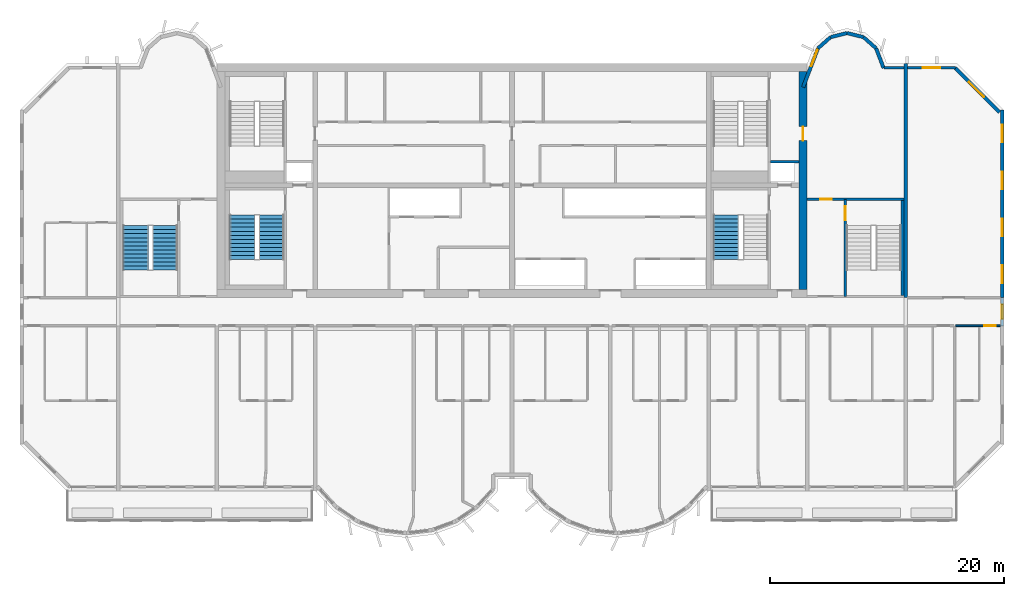
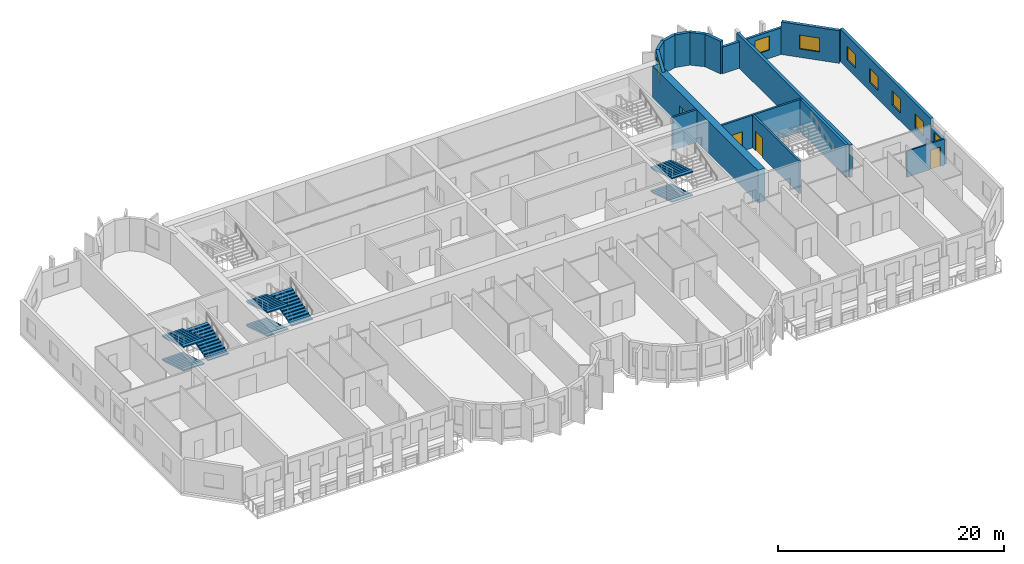
# One storey, part 9 of 13: 18 walls, 8 stair flights, 8 windows, 4 doors, 12 openings, 3 elements without a shape of their own.
"""IFC4 building model written with IfcOpenShell, lengths in metres."""

import ifcopenshell
import ifcopenshell.guid

model = None  # the IFC model being written
_history = None  # IfcOwnerHistory: only IFC2X3 demands one
_inside = {}  # id of a spatial element -> (the spatial element, [elements in it])
_under = {}  # id of a project, library or spatial element -> (it, [spatial elements below it])
_declared = {}  # id of a project -> (the project, [libraries it declares])
_typed = {}  # id of a type object -> (the type object, [elements of that type])
_made_of = {}  # id of a material, layer set ... -> (it, [elements and type objects made of it])


def new_model(schema):
    """Start an empty IFC model of exactly this schema.

    Asked for "IFC4X3", IfcOpenShell would pick the latest addendum, in which some entities
    have other attributes; the version numbers below select the first issue.
    IFC2X3 requires an IfcOwnerHistory on every rooted entity: one is made here for all.
    """
    global model, _history
    if schema == "IFC4X3":
        model = ifcopenshell.file(schema_version=(4, 3, 0, 0))
    else:
        model = ifcopenshell.file(schema=schema)
    _inside.clear()
    _under.clear()
    _declared.clear()
    _typed.clear()
    _made_of.clear()
    _history = None
    if model.schema == "IFC2X3":
        org = make("IfcOrganization", Name="unknown")
        user = make(
            "IfcPersonAndOrganization",
            ThePerson=make("IfcPerson", FamilyName="unknown"),
            TheOrganization=org,
        )
        app = make(
            "IfcApplication",
            ApplicationDeveloper=org,
            Version="unknown",
            ApplicationFullName="unknown",
            ApplicationIdentifier="unknown",
        )
        _history = make(
            "IfcOwnerHistory",
            OwningUser=user,
            OwningApplication=app,
            ChangeAction="ADDED",
            CreationDate=0,
        )
    return model


def make(cls, **values):
    """One entity of the class cls with the attributes given. An attribute that is None is left unset."""
    return model.create_entity(
        cls, **{name: value for name, value in values.items() if value is not None}
    )


def rooted(cls, **values):
    """An entity with a GlobalId (a new one), such as an element, a storey or a relation."""
    return make(cls, GlobalId=ifcopenshell.guid.new(), OwnerHistory=_history, **values)


def si_unit(unit_type, name, prefix=None):
    """IfcSIUnit, for example si_unit("LENGTHUNIT", "METRE", prefix="MILLI")."""
    return make("IfcSIUnit", UnitType=unit_type, Prefix=prefix, Name=name)


def assignment(units):
    """IfcUnitAssignment: the units of a project."""
    return None if units is None else make("IfcUnitAssignment", Units=units)


def point(xyz):
    """IfcCartesianPoint."""
    return None if xyz is None else make("IfcCartesianPoint", Coordinates=xyz)


def direction(xyz):
    """IfcDirection."""
    return None if xyz is None else make("IfcDirection", DirectionRatios=xyz)


def frame(location, z_axis=None, x_axis=None):
    """IfcAxis2Placement3D, a coordinate frame: its origin and axes. An axis left out is left unset."""
    return make(
        "IfcAxis2Placement3D",
        Location=point(location),
        Axis=direction(z_axis),
        RefDirection=direction(x_axis),
    )


def frame_2d(location, x_axis=None):
    """IfcAxis2Placement2D, a coordinate frame in the plane: its origin and x axis."""
    return make(
        "IfcAxis2Placement2D", Location=point(location), RefDirection=direction(x_axis)
    )


def origin():
    """The frame at (0, 0, 0) with its axes left unset."""
    return frame((0.0, 0.0, 0.0))


def place(relative_to, where):
    """IfcLocalPlacement: puts the frame where relative to a parent placement (None: the world)."""
    return make(
        "IfcLocalPlacement", PlacementRelTo=relative_to, RelativePlacement=where
    )


def context(
    kind, dimensions, precision=None, world=None, true_north=None, identifier=None
):
    """IfcGeometricRepresentationContext, for example the 3D "Model" context."""
    return make(
        "IfcGeometricRepresentationContext",
        ContextIdentifier=identifier,
        ContextType=kind,
        CoordinateSpaceDimension=dimensions,
        Precision=precision,
        WorldCoordinateSystem=world,
        TrueNorth=true_north,
    )


def subcontext(parent, identifier, kind, view, scale=None):
    """IfcGeometricRepresentationSubContext, for example "Body" below "Model"."""
    return make(
        "IfcGeometricRepresentationSubContext",
        ContextIdentifier=identifier,
        ContextType=kind,
        ParentContext=parent,
        TargetScale=scale,
        TargetView=view,
    )


def project(units=None, contexts=None):
    """IfcProject with its units and contexts."""
    return rooted(
        "IfcProject",
        Name="project",
        RepresentationContexts=contexts,
        UnitsInContext=assignment(units),
    )


def spatial(cls, under=None, at=None, **own):
    """A site, building, storey or space (cls), placed at a placement, below another one or the project."""
    s = rooted(cls, ObjectPlacement=at, **own)
    if under is not None:
        _under.setdefault(under.id(), (under, []))[1].append(s)
    return s


def polyline(points):
    """IfcPolyline through the points."""
    return make("IfcPolyline", Points=[point(p) for p in points])


def profile(cls, at=None, kind="AREA", **sizes):
    """A parametric profile (cls). Its sizes go by their IFC names, for example OverallWidth=200.0."""
    return make(cls, ProfileType=kind, Position=at, **sizes)


def rectangle(**sizes):
    """IfcRectangleProfileDef."""
    return profile("IfcRectangleProfileDef", **sizes)


def outline(outer, holes=None, kind="AREA"):
    """IfcArbitraryClosedProfileDef: a profile drawn as a closed curve; with holes, ...WithVoids."""
    if holes is None:
        return make("IfcArbitraryClosedProfileDef", ProfileType=kind, OuterCurve=outer)
    return make(
        "IfcArbitraryProfileDefWithVoids",
        ProfileType=kind,
        OuterCurve=outer,
        InnerCurves=holes,
    )


def extrude(swept, where, along, depth):
    """IfcExtrudedAreaSolid: the profile swept, set in the frame where, extruded along a direction by depth."""
    return make(
        "IfcExtrudedAreaSolid",
        SweptArea=swept,
        Position=where,
        ExtrudedDirection=direction(along),
        Depth=depth,
    )


def shape(context_of_items, identifier, shape_type, items):
    """IfcShapeRepresentation: the items that make up one representation, for example the "Body"."""
    return make(
        "IfcShapeRepresentation",
        ContextOfItems=context_of_items,
        RepresentationIdentifier=identifier,
        RepresentationType=shape_type,
        Items=items,
    )


def source(mapping_origin, context_of_items, identifier, shape_type, items):
    """IfcRepresentationMap: a shape defined once, which mapped items show again and again."""
    return make(
        "IfcRepresentationMap",
        MappingOrigin=mapping_origin,
        MappedRepresentation=shape(context_of_items, identifier, shape_type, items),
    )


def transform(
    local_origin,
    x_axis=None,
    y_axis=None,
    z_axis=None,
    scale=None,
    scale2=None,
    scale3=None,
    uniform=True,
):
    """IfcCartesianTransformationOperator3D, or its non-uniform kind. x_axis, y_axis, z_axis: its Axis1, 2, 3."""
    if uniform:
        return make(
            "IfcCartesianTransformationOperator3D",
            Axis1=direction(x_axis),
            Axis2=direction(y_axis),
            LocalOrigin=point(local_origin),
            Scale=scale,
            Axis3=direction(z_axis),
        )
    return make(
        "IfcCartesianTransformationOperator3DnonUniform",
        Axis1=direction(x_axis),
        Axis2=direction(y_axis),
        LocalOrigin=point(local_origin),
        Scale=scale,
        Axis3=direction(z_axis),
        Scale2=scale2,
        Scale3=scale3,
    )


def mapped(mapping_source, mapping_target):
    """IfcMappedItem: shows the shape of a source again, moved by a transform."""
    return make(
        "IfcMappedItem", MappingSource=mapping_source, MappingTarget=mapping_target
    )


def material(Name=None, Category=None):
    """IfcMaterial."""
    return make("IfcMaterial", Name=Name, Category=Category)


def layer(
    of_material, thickness, ventilated=None, Name=None, Category=None, Priority=None
):
    """IfcMaterialLayer: one layer of a wall or slab, of a material (None: an air gap)."""
    return make(
        "IfcMaterialLayer",
        Material=of_material,
        LayerThickness=thickness,
        IsVentilated=ventilated,
        Name=Name,
        Category=Category,
        Priority=Priority,
    )


def layer_set(layers, Name=None):
    """IfcMaterialLayerSet."""
    return make("IfcMaterialLayerSet", MaterialLayers=layers, LayerSetName=Name)


def made_of(thing, what):
    """Note that an element or type object is made of a material, layer set ...; save() writes the relation."""
    if what is not None:
        _made_of.setdefault(what.id(), (what, []))[1].append(thing)
    return thing


def type_object(cls, material=None, **own):
    """A type object (cls), such as IfcWallType, which elements share."""
    return made_of(rooted(cls, **own), material)


def element(
    cls,
    number,
    at=None,
    inside=None,
    cuts=None,
    type_object=None,
    material=None,
    context=None,
    identifier="Body",
    shape_type=None,
    held_by="IfcProductDefinitionShape",
    body=None,
    shapes=None,
    **own,
):
    """One element of the class cls, such as IfcWall. Its Tag is "e" and its number.

    at: its placement. inside: the storey or other place that contains it. cuts: it is an
    opening in that element (IfcRelVoidsElement). A single representation is given by context,
    identifier, shape_type and body (its items); several are given by shapes. held_by: the class
    of the entity that holds the representations. save() writes the other relations.
    """
    e = rooted(cls, Tag="e%d" % number, ObjectPlacement=at, **own)
    if body is not None:
        shapes = [shape(context, identifier, shape_type, body)]
    if shapes is not None:
        e.Representation = make(held_by, Representations=shapes)
    if inside is not None:
        _inside.setdefault(inside.id(), (inside, []))[1].append(e)
    if cuts is not None:
        rooted(
            "IfcRelVoidsElement", RelatingBuildingElement=cuts, RelatedOpeningElement=e
        )
    if type_object is not None:
        _typed.setdefault(type_object.id(), (type_object, []))[1].append(e)
    return made_of(e, material)


def fill(opening, filler):
    """IfcRelFillsElement: the door or window that sits in an opening."""
    return rooted(
        "IfcRelFillsElement",
        RelatingOpeningElement=opening,
        RelatedBuildingElement=filler,
    )


def aggregate(whole, parts):
    """IfcRelAggregates: a whole, such as a stair, and the parts it consists of."""
    return rooted("IfcRelAggregates", RelatingObject=whole, RelatedObjects=parts)


def save(model, path):
    """Write the relations noted so far, then the file.

    IfcRelAggregates (storeys below a building ...), IfcRelContainedInSpatialStructure (elements
    in a storey), IfcRelDefinesByType, IfcRelAssociatesMaterial and IfcRelDeclares: one each for
    every whole, place, type object, material and project.
    """
    for whole, parts in _under.values():
        aggregate(whole, parts)
    for where, things in _inside.values():
        rooted(
            "IfcRelContainedInSpatialStructure",
            RelatedElements=things,
            RelatingStructure=where,
        )
    for kind, things in _typed.values():
        rooted("IfcRelDefinesByType", RelatedObjects=things, RelatingType=kind)
    for what, things in _made_of.values():
        rooted("IfcRelAssociatesMaterial", RelatedObjects=things, RelatingMaterial=what)
    for by, libraries in _declared.values():
        rooted("IfcRelDeclares", RelatingContext=by, RelatedDefinitions=libraries)
    model.write(path)


model = new_model("IFC4")

# Units and contexts
model_context = context("Model", 3, precision=1e-05, world=origin(), true_north=direction((0.0, 1.0)))
body_context = subcontext(model_context, "Body", "Model", "MODEL_VIEW")
ifc_project = project(units=[si_unit("LENGTHUNIT", "METRE"), si_unit("AREAUNIT", "SQUARE_METRE"), si_unit("VOLUMEUNIT", "CUBIC_METRE"), si_unit("PLANEANGLEUNIT", "RADIAN"), si_unit("MASSUNIT", "GRAM", prefix="KILO")], contexts=[model_context])

# Site, building, storey
site_placement = place(None, origin())
site = spatial("IfcSite", under=ifc_project, at=site_placement, CompositionType="ELEMENT")
building_placement = place(site_placement, origin())
building = spatial("IfcBuilding", under=site, at=building_placement, Name="Vanashikhar Sky Hotel", CompositionType="ELEMENT")
storey_placement = place(building_placement, frame((0.0, 0.0, 151.60009765625)))
storey = spatial("IfcBuildingStorey", under=building, at=storey_placement, Name="L36", CompositionType="ELEMENT", Elevation=151.60009765625)

# Wall, opening, door
ifc_material_1 = material(Name="Concrete M60", Category="concrete")
ifc_layer_1 = layer(ifc_material_1, 0.699951171875)
ifc_layer_set_1 = layer_set([ifc_layer_1], Name="RC core shell wall 700 Concrete M60")
wall_type_1 = type_object("IfcWallType", Name="RC core shell wall 700 Concrete M60", PredefinedType="SHEAR", material=ifc_layer_set_1)
shared_shape_1 = source(origin(), body_context, "Body", "SweptSolid", [
    extrude(rectangle(XDim=18.60009765625, YDim=0.699951171875, at=frame_2d((9.300048828125, 0.0))), origin(), (0.0, 0.0, 1.0), 3.52001953125),
])
wall_1_placement = place(storey_placement, frame((75.25, 22.699951171875, 0.0), z_axis=(0.0, 0.0, 1.0), x_axis=(0.0, 1.0, 0.0)))
wall_1 = element("IfcWall", 1, at=wall_1_placement, inside=storey, type_object=wall_type_1, Name="KW-L36-KE", PredefinedType="SHEAR", context=body_context, shape_type="MappedRepresentation", body=[
    mapped(shared_shape_1, transform((0.0, 0.0, 0.0), scale=1.0)),
])
shared_shape_2 = source(origin(), body_context, "Body", "SweptSolid", [
    extrude(rectangle(XDim=1.199951171875, YDim=2.10009765625, at=frame_2d((0.60009765625, 1.050048828125))), frame((0.0, 0.35986328125, 0.0), z_axis=(0.0, -1.0, 0.0), x_axis=(1.0, 0.0, 0.0)), (0.0, 0.0, 1.0), 0.719970703125),
])
opening_1_placement = place(wall_1_placement, frame((12.699951171875, 0.0, 0.0)))
opening_1 = element("IfcOpeningElement", 2, at=opening_1_placement, cuts=wall_1, Name="Opening DC-4-D", PredefinedType="OPENING", context=body_context, shape_type="MappedRepresentation", body=[
    mapped(shared_shape_2, transform((0.0, 0.0, 0.0), scale=1.0)),
])
ifc_material_2 = material(Name="Steel", Category="steel")
door_type_1 = type_object("IfcDoorType", Name="Service door 1200 FD120", OperationType="NOTDEFINED", PredefinedType="DOOR", material=ifc_material_2)
shared_shape_3 = source(origin(), body_context, "Body", "SweptSolid", [
    extrude(rectangle(XDim=1.199951171875, YDim=2.10009765625, at=frame_2d((0.60009765625, 1.050048828125))), frame((0.0, 0.02490234375, 0.0), z_axis=(0.0, -1.0, 0.0), x_axis=(1.0, 0.0, 0.0)), (0.0, 0.0, 1.0), 0.050048828125),
])
door_1_placement = place(opening_1_placement, origin())
door_1 = element("IfcDoor", 3, at=door_1_placement, inside=storey, type_object=door_type_1, Name="Service door 1200 FD120", OperationType="SINGLE_SWING_RIGHT", OverallHeight=2.10009765625, OverallWidth=1.199951171875, PredefinedType="DOOR", context=body_context, shape_type="MappedRepresentation", body=[
    mapped(shared_shape_3, transform((0.0, 0.0, 0.0), scale=1.0)),
])
fill(opening_1, door_1)

# Wall, openings, windows
ifc_layer_2 = layer(ifc_material_1, 0.300048828125)
ifc_layer_set_2 = layer_set([ifc_layer_2], Name="RC shear wall 300 Concrete M60")
wall_type_2 = type_object("IfcWallType", Name="RC shear wall 300 Concrete M60", PredefinedType="SHEAR", material=ifc_layer_set_2)
shared_shape_4 = source(origin(), body_context, "Body", "SweptSolid", [
    extrude(rectangle(XDim=16.0, YDim=0.300048828125, at=frame_2d((8.0, 0.0))), origin(), (0.0, 0.0, 1.0), 3.52001953125),
])
wall_2_placement = place(storey_placement, frame((92.25, 22.0, 0.0), z_axis=(0.0, 0.0, 1.0), x_axis=(0.0, 1.0, 0.0)))
wall_2 = element("IfcWall", 4, at=wall_2_placement, inside=storey, type_object=wall_type_2, Name="CW-L36-XW12-2", PredefinedType="SHEAR", context=body_context, shape_type="MappedRepresentation", body=[
    mapped(shared_shape_4, transform((0.0, 0.0, 0.0), scale=1.0)),
])
shared_shape_5 = source(origin(), body_context, "Body", "SweptSolid", [
    extrude(rectangle(XDim=1.5, YDim=1.5, at=frame_2d((0.75, 0.75))), frame((0.0, 0.16015625, 0.0), z_axis=(0.0, -1.0, 0.0), x_axis=(1.0, 0.0, 0.0)), (0.0, 0.0, 1.0), 0.320068359375),
])
opening_2_placement = place(wall_2_placement, frame((1.25, 0.0, 0.89990234375)))
opening_2 = element("IfcOpeningElement", 5, at=opening_2_placement, cuts=wall_2, Name="Opening WN-1", PredefinedType="OPENING", context=body_context, shape_type="MappedRepresentation", body=[
    mapped(shared_shape_5, transform((0.0, 0.0, 0.0), scale=1.0)),
])
opening_3_placement = place(wall_2_placement, frame((5.25, 0.0, 0.89990234375)))
opening_3 = element("IfcOpeningElement", 6, at=opening_3_placement, cuts=wall_2, Name="Opening WN-1", PredefinedType="OPENING", context=body_context, shape_type="MappedRepresentation", body=[
    mapped(shared_shape_5, transform((0.0, 0.0, 0.0), scale=1.0)),
])
opening_4_placement = place(wall_2_placement, frame((9.25, 0.0, 0.89990234375)))
opening_4 = element("IfcOpeningElement", 7, at=opening_4_placement, cuts=wall_2, Name="Opening WN-1", PredefinedType="OPENING", context=body_context, shape_type="MappedRepresentation", body=[
    mapped(shared_shape_5, transform((0.0, 0.0, 0.0), scale=1.0)),
])
opening_5_placement = place(wall_2_placement, frame((13.25, 0.0, 0.89990234375)))
opening_5 = element("IfcOpeningElement", 8, at=opening_5_placement, cuts=wall_2, Name="Opening WN-1", PredefinedType="OPENING", context=body_context, shape_type="MappedRepresentation", body=[
    mapped(shared_shape_5, transform((0.0, 0.0, 0.0), scale=1.0)),
])
ifc_material_3 = material(Name="Glass", Category="glass")
window_type_1 = type_object("IfcWindowType", Name="Window 1500 x 1500", PartitioningType="SINGLE_PANEL", PredefinedType="WINDOW", material=ifc_material_3)
shared_shape_6 = source(origin(), body_context, "Body", "SweptSolid", [
    extrude(rectangle(XDim=1.5, YDim=1.5, at=frame_2d((0.75, 0.75))), frame((0.0, 0.030029296875, 0.0), z_axis=(0.0, -1.0, 0.0), x_axis=(1.0, 0.0, 0.0)), (0.0, 0.0, 1.0), 0.06005859375),
])
window_1_placement = place(opening_2_placement, origin())
window_1 = element("IfcWindow", 9, at=window_1_placement, inside=storey, type_object=window_type_1, Name="Window WN-1", OverallHeight=1.5, OverallWidth=1.5, PartitioningType="SINGLE_PANEL", PredefinedType="WINDOW", context=body_context, shape_type="MappedRepresentation", body=[
    mapped(shared_shape_6, transform((0.0, 0.0, 0.0), scale=1.0)),
])
fill(opening_2, window_1)
window_2_placement = place(opening_3_placement, origin())
window_2 = element("IfcWindow", 10, at=window_2_placement, inside=storey, type_object=window_type_1, Name="Window WN-1", OverallHeight=1.5, OverallWidth=1.5, PartitioningType="SINGLE_PANEL", PredefinedType="WINDOW", context=body_context, shape_type="MappedRepresentation", body=[
    mapped(shared_shape_6, transform((0.0, 0.0, 0.0), scale=1.0)),
])
fill(opening_3, window_2)
window_3_placement = place(opening_4_placement, origin())
window_3 = element("IfcWindow", 11, at=window_3_placement, inside=storey, type_object=window_type_1, Name="Window WN-1", OverallHeight=1.5, OverallWidth=1.5, PartitioningType="SINGLE_PANEL", PredefinedType="WINDOW", context=body_context, shape_type="MappedRepresentation", body=[
    mapped(shared_shape_6, transform((0.0, 0.0, 0.0), scale=1.0)),
])
fill(opening_4, window_3)
window_4_placement = place(opening_5_placement, origin())
window_4 = element("IfcWindow", 12, at=window_4_placement, inside=storey, type_object=window_type_1, Name="Window WN-1", OverallHeight=1.5, OverallWidth=1.5, PartitioningType="SINGLE_PANEL", PredefinedType="WINDOW", context=body_context, shape_type="MappedRepresentation", body=[
    mapped(shared_shape_6, transform((0.0, 0.0, 0.0), scale=1.0)),
])
fill(opening_5, window_4)

# Wall
shared_shape_7 = source(origin(), body_context, "Body", "SweptSolid", [
    extrude(rectangle(XDim=20.0, YDim=0.300048828125, at=frame_2d((10.0, 0.0))), origin(), (0.0, 0.0, 1.0), 3.52001953125),
])
wall_3_placement = place(storey_placement, frame((84.0, 22.0, 0.0), z_axis=(0.0, 0.0, 1.0), x_axis=(0.0, 1.0, 0.0)))
element("IfcWall", 13, at=wall_3_placement, inside=storey, type_object=wall_type_2, Name="CW-L36-XW11-2", PredefinedType="SHEAR", context=body_context, shape_type="MappedRepresentation", body=[
    mapped(shared_shape_7, transform((0.0, 0.0, 0.0), scale=1.0)),
])

# Wall, opening, window
ifc_material_4 = material(Name="Concrete M50", Category="concrete")
ifc_layer_3 = layer(ifc_material_4, 0.300048828125)
ifc_layer_set_3 = layer_set([ifc_layer_3], Name="Lobe wall 300")
wall_type_3 = type_object("IfcWallType", Name="Lobe wall 300", PredefinedType="SOLIDWALL", material=ifc_layer_set_3)
shared_shape_8 = source(origin(), body_context, "Body", "SweptSolid", [
    extrude(rectangle(XDim=5.32568359375, YDim=0.300048828125, at=frame_2d((2.662841796875, 0.0))), origin(), (0.0, 0.0, 1.0), 3.52001953125),
])
wall_4_placement = place(storey_placement, frame((92.0, 37.834228515625, 0.0), z_axis=(0.0, 0.0, 1.0), x_axis=(-0.707083859269, 0.707129702361, 0.0)))
wall_4 = element("IfcWall", 14, at=wall_4_placement, inside=storey, type_object=wall_type_3, Name="Corner wall", PredefinedType="SOLIDWALL", context=body_context, shape_type="MappedRepresentation", body=[
    mapped(shared_shape_8, transform((0.0, 0.0, 0.0), scale=1.0)),
])
shared_shape_9 = source(origin(), body_context, "Body", "SweptSolid", [
    extrude(rectangle(XDim=1.800048828125, YDim=1.5, at=frame_2d((0.89990234375, 0.75))), frame((0.0, 0.16015625, 0.0), z_axis=(0.0, -1.0, 0.0), x_axis=(1.0, 0.0, 0.0)), (0.0, 0.0, 1.0), 0.320068359375),
])
opening_6_placement = place(wall_4_placement, frame((1.8359375, 0.0, 0.89990234375)))
opening_6 = element("IfcOpeningElement", 15, at=opening_6_placement, cuts=wall_4, Name="Opening WN-4", PredefinedType="OPENING", context=body_context, shape_type="MappedRepresentation", body=[
    mapped(shared_shape_9, transform((0.0, 0.0, 0.0), scale=1.0)),
])
window_type_2 = type_object("IfcWindowType", Name="Corner window 1800 x 1500", PartitioningType="SINGLE_PANEL", PredefinedType="WINDOW", material=ifc_material_3)
shared_shape_10 = source(origin(), body_context, "Body", "SweptSolid", [
    extrude(rectangle(XDim=1.800048828125, YDim=1.5, at=frame_2d((0.89990234375, 0.75))), frame((0.0, 0.030029296875, 0.0), z_axis=(0.0, -1.0, 0.0), x_axis=(1.0, 0.0, 0.0)), (0.0, 0.0, 1.0), 0.06005859375),
])
window_5_placement = place(opening_6_placement, origin())
window_5 = element("IfcWindow", 16, at=window_5_placement, inside=storey, type_object=window_type_2, Name="Window WN-4", OverallHeight=1.5, OverallWidth=1.800048828125, PartitioningType="SINGLE_PANEL", PredefinedType="WINDOW", context=body_context, shape_type="MappedRepresentation", body=[
    mapped(shared_shape_10, transform((0.0, 0.0, 0.0), scale=1.0)),
])
fill(opening_6, window_5)

shared_shape_11 = source(origin(), body_context, "Body", "SweptSolid", [
    extrude(rectangle(XDim=3.55908203125, YDim=0.300048828125, at=frame_2d((1.779541015625, 0.0))), origin(), (0.0, 0.0, 1.0), 3.52001953125),
])
wall_5_placement = place(storey_placement, frame((76.5234375, 43.2919921875, 0.0), z_axis=(0.0, 0.0, 1.0), x_axis=(-0.35779745313, -0.933799219604, 0.0)))
wall_5 = element("IfcWall", 17, at=wall_5_placement, inside=storey, type_object=wall_type_3, Name="Lobe wall", PredefinedType="SOLIDWALL", context=body_context, shape_type="MappedRepresentation", body=[
    mapped(shared_shape_11, transform((0.0, 0.0, 0.0), scale=1.0)),
])
shared_shape_12 = source(origin(), body_context, "Body", "SweptSolid", [
    extrude(rectangle(XDim=1.5, YDim=2.0, at=frame_2d((0.75, 1.0))), frame((0.0, 0.16015625, 0.0), z_axis=(0.0, -1.0, 0.0), x_axis=(1.0, 0.0, 0.0)), (0.0, 0.0, 1.0), 0.320068359375),
])
opening_7_placement = place(wall_5_placement, frame((0.156005859375, 0.0, 0.89990234375)))
opening_7 = element("IfcOpeningElement", 18, at=opening_7_placement, cuts=wall_5, Name="Opening WN-2", PredefinedType="OPENING", context=body_context, shape_type="MappedRepresentation", body=[
    mapped(shared_shape_12, transform((0.0, 0.0, 0.0), scale=1.0)),
])
window_type_3 = type_object("IfcWindowType", Name="Lobe window 1500 x 2000", PartitioningType="SINGLE_PANEL", PredefinedType="WINDOW", material=ifc_material_3)
shared_shape_13 = source(origin(), body_context, "Body", "SweptSolid", [
    extrude(rectangle(XDim=1.5, YDim=2.0, at=frame_2d((0.75, 1.0))), frame((0.0, 0.030029296875, 0.0), z_axis=(0.0, -1.0, 0.0), x_axis=(1.0, 0.0, 0.0)), (0.0, 0.0, 1.0), 0.06005859375),
])
window_6_placement = place(opening_7_placement, origin())
window_6 = element("IfcWindow", 19, at=window_6_placement, inside=storey, type_object=window_type_3, Name="Window WN-2", OverallHeight=2.0, OverallWidth=1.5, PartitioningType="SINGLE_PANEL", PredefinedType="WINDOW", context=body_context, shape_type="MappedRepresentation", body=[
    mapped(shared_shape_13, transform((0.0, 0.0, 0.0), scale=1.0)),
])
fill(opening_7, window_6)

# Walls
shared_shape_14 = source(origin(), body_context, "Body", "SweptSolid", [
    extrude(rectangle(XDim=1.438720703125, YDim=0.300048828125, at=frame_2d((0.71923828125, 0.0))), origin(), (0.0, 0.0, 1.0), 3.52001953125),
])
for number, where, z_axis, x_axis, name in (
    (20, (80.397216796875, 44.2451171875, 0.0), (0.0, 0.0, 1.0), (-0.971161932466, 0.238420848351, 0.0), "Lobe wall"),
    (21, (79.0, 44.588134765625, 0.0), (0.0, 0.0, 1.0), (-0.971161932466, -0.238420848351, 0.0), "Lobe wall"),
):
    element("IfcWall", number, at=place(storey_placement, frame(where, z_axis=z_axis, x_axis=x_axis)), inside=storey, type_object=wall_type_3, Name=name, PredefinedType="SOLIDWALL", context=body_context, shape_type="MappedRepresentation", body=[
        mapped(shared_shape_14, transform((0.0, 0.0, 0.0), scale=1.0)),
    ])
shared_shape_15 = source(origin(), body_context, "Body", "SweptSolid", [
    extrude(rectangle(XDim=1.43994140625, YDim=0.300048828125, at=frame_2d((0.719970703125, 0.0))), origin(), (0.0, 0.0, 1.0), 3.52001953125),
])
for number, where, z_axis, x_axis, name in (
    (22, (81.4765625, 43.2919921875, 0.0), (0.0, 0.0, 1.0), (-0.74957555648, 0.661918790432, 0.0), "Lobe wall"),
    (23, (77.602783203125, 44.2451171875, 0.0), (0.0, 0.0, 1.0), (-0.74957555648, -0.661918790432, 0.0), "Lobe wall"),
):
    element("IfcWall", number, at=place(storey_placement, frame(where, z_axis=z_axis, x_axis=x_axis)), inside=storey, type_object=wall_type_3, Name=name, PredefinedType="SOLIDWALL", context=body_context, shape_type="MappedRepresentation", body=[
        mapped(shared_shape_15, transform((0.0, 0.0, 0.0), scale=1.0)),
    ])
shared_shape_16 = source(origin(), body_context, "Body", "SweptSolid", [
    extrude(rectangle(XDim=1.81201171875, YDim=0.300048828125, at=frame_2d((0.906005859375, 0.0))), origin(), (0.0, 0.0, 1.0), 3.52001953125),
])
wall_6_placement = place(storey_placement, frame((82.125, 41.60009765625, 0.0), z_axis=(0.0, 0.0, 1.0), x_axis=(-0.357877270961, 0.93376863244, 0.0)))
element("IfcWall", 24, at=wall_6_placement, inside=storey, type_object=wall_type_3, Name="Lobe wall", PredefinedType="SOLIDWALL", context=body_context, shape_type="MappedRepresentation", body=[
    mapped(shared_shape_16, transform((0.0, 0.0, 0.0), scale=1.0)),
])

# Wall, opening, window
ifc_layer_4 = layer(ifc_material_4, 0.25)
ifc_layer_set_4 = layer_set([ifc_layer_4], Name="Rear and end board-marked wall 250")
wall_type_4 = type_object("IfcWallType", Name="Rear and end board-marked wall 250", PredefinedType="SOLIDWALL", material=ifc_layer_set_4)
shared_shape_17 = source(origin(), body_context, "Body", "SweptSolid", [
    extrude(rectangle(XDim=2.39990234375, YDim=0.25, at=frame_2d((1.199951171875, 0.0))), origin(), (0.0, 0.0, 1.0), 2.619873046875),
])
wall_7_placement = place(storey_placement, frame((92.25, 19.60009765625, 0.0), z_axis=(0.0, 0.0, 1.0), x_axis=(0.0, 1.0, 0.0)))
wall_7 = element("IfcWall", 25, at=wall_7_placement, inside=storey, type_object=wall_type_4, Name="End corridor infill wall", PredefinedType="SOLIDWALL", context=body_context, shape_type="MappedRepresentation", body=[
    mapped(shared_shape_17, transform((0.0, 0.0, 0.0), scale=1.0)),
])
shared_shape_18 = source(origin(), body_context, "Body", "SweptSolid", [
    extrude(rectangle(XDim=1.199951171875, YDim=1.5, at=frame_2d((0.60009765625, 0.75))), frame((0.0, 0.135009765625, 0.0), z_axis=(0.0, -1.0, 0.0), x_axis=(1.0, 0.0, 0.0)), (0.0, 0.0, 1.0), 0.27001953125),
])
opening_8_placement = place(wall_7_placement, frame((0.60009765625, 0.0, 0.89990234375)))
opening_8 = element("IfcOpeningElement", 26, at=opening_8_placement, cuts=wall_7, Name="Opening WN-3", PredefinedType="OPENING", context=body_context, shape_type="MappedRepresentation", body=[
    mapped(shared_shape_18, transform((0.0, 0.0, 0.0), scale=1.0)),
])
window_type_4 = type_object("IfcWindowType", Name="Corridor end window 1200 x 1500", PartitioningType="SINGLE_PANEL", PredefinedType="WINDOW", material=ifc_material_3)
shared_shape_19 = source(origin(), body_context, "Body", "SweptSolid", [
    extrude(rectangle(XDim=1.199951171875, YDim=1.5, at=frame_2d((0.60009765625, 0.75))), frame((0.0, 0.030029296875, 0.0), z_axis=(0.0, -1.0, 0.0), x_axis=(1.0, 0.0, 0.0)), (0.0, 0.0, 1.0), 0.06005859375),
])
window_7_placement = place(opening_8_placement, origin())
window_7 = element("IfcWindow", 27, at=window_7_placement, inside=storey, type_object=window_type_4, Name="Window WN-3", OverallHeight=1.5, OverallWidth=1.199951171875, PartitioningType="SINGLE_PANEL", PredefinedType="WINDOW", context=body_context, shape_type="MappedRepresentation", body=[
    mapped(shared_shape_19, transform((0.0, 0.0, 0.0), scale=1.0)),
])
fill(opening_8, window_7)

# Wall
shared_shape_20 = source(origin(), body_context, "Body", "SweptSolid", [
    extrude(rectangle(XDim=1.7080078125, YDim=0.25, at=frame_2d((0.85400390625, 0.0))), origin(), (0.0, 0.0, 1.0), 2.869873046875),
])
wall_8_placement = place(storey_placement, frame((83.85009765625, 41.625, 0.0), z_axis=(0.0, 0.0, 1.0), x_axis=(-1.0, 0.0, 0.0)))
element("IfcWall", 28, at=wall_8_placement, inside=storey, type_object=wall_type_4, Name="Rear board-marked wall", PredefinedType="SOLIDWALL", context=body_context, shape_type="MappedRepresentation", body=[
    mapped(shared_shape_20, transform((0.0, 0.0, 0.0), scale=1.0)),
])

# Wall, opening, window
shared_shape_21 = source(origin(), body_context, "Body", "SweptSolid", [
    extrude(rectangle(XDim=4.0947265625, YDim=0.25, at=frame_2d((2.04736328125, 0.0))), origin(), (0.0, 0.0, 1.0), 2.869873046875),
])
wall_9_placement = place(storey_placement, frame((88.24462890625, 41.625, 0.0), z_axis=(0.0, 0.0, 1.0), x_axis=(-1.0, 0.0, 0.0)))
wall_9 = element("IfcWall", 29, at=wall_9_placement, inside=storey, type_object=wall_type_4, Name="Rear board-marked wall", PredefinedType="SOLIDWALL", context=body_context, shape_type="MappedRepresentation", body=[
    mapped(shared_shape_21, transform((0.0, 0.0, 0.0), scale=1.0)),
])
shared_shape_22 = source(origin(), body_context, "Body", "SweptSolid", [
    extrude(rectangle(XDim=1.5, YDim=1.5, at=frame_2d((0.75, 0.75))), frame((0.0, 0.135009765625, 0.0), z_axis=(0.0, -1.0, 0.0), x_axis=(1.0, 0.0, 0.0)), (0.0, 0.0, 1.0), 0.27001953125),
])
opening_9_placement = place(wall_9_placement, frame((1.29736328125, 0.0, 0.89990234375)))
opening_9 = element("IfcOpeningElement", 30, at=opening_9_placement, cuts=wall_9, Name="Opening WN-1", PredefinedType="OPENING", context=body_context, shape_type="MappedRepresentation", body=[
    mapped(shared_shape_22, transform((0.0, 0.0, 0.0), scale=1.0)),
])
window_8_placement = place(opening_9_placement, origin())
window_8 = element("IfcWindow", 31, at=window_8_placement, inside=storey, type_object=window_type_1, Name="Window WN-1", OverallHeight=1.5, OverallWidth=1.5, PartitioningType="SINGLE_PANEL", PredefinedType="WINDOW", context=body_context, shape_type="MappedRepresentation", body=[
    mapped(shared_shape_6, transform((0.0, 0.0, 0.0), scale=1.0)),
])
fill(opening_9, window_8)

# Wall, opening, door
ifc_layer_5 = layer(ifc_material_4, 0.199951171875)
ifc_layer_set_5 = layer_set([ifc_layer_5], Name="Stair wall 200")
wall_type_5 = type_object("IfcWallType", Name="Stair wall 200", PredefinedType="SOLIDWALL", material=ifc_layer_set_5)
shared_shape_23 = source(origin(), body_context, "Body", "SweptSolid", [
    extrude(rectangle(XDim=8.2998046875, YDim=0.199951171875, at=frame_2d((4.14990234375, 0.0))), origin(), (0.0, 0.0, 1.0), 3.52001953125),
])
wall_10_placement = place(storey_placement, frame((78.85009765625, 22.10009765625, 0.0), z_axis=(0.0, 0.0, 1.0), x_axis=(0.0, 1.0, 0.0)))
wall_10 = element("IfcWall", 32, at=wall_10_placement, inside=storey, type_object=wall_type_5, Name="Stair wall 200", PredefinedType="SOLIDWALL", context=body_context, shape_type="MappedRepresentation", body=[
    mapped(shared_shape_23, transform((0.0, 0.0, 0.0), scale=1.0)),
])
shared_shape_24 = source(origin(), body_context, "Body", "SweptSolid", [
    extrude(rectangle(XDim=1.199951171875, YDim=2.10009765625, at=frame_2d((0.60009765625, 1.050048828125))), frame((0.0, 0.10986328125, 0.0), z_axis=(0.0, -1.0, 0.0), x_axis=(1.0, 0.0, 0.0)), (0.0, 0.0, 1.0), 0.219970703125),
])
opening_10_placement = place(wall_10_placement, frame((6.5, 0.0, 0.0)))
opening_10 = element("IfcOpeningElement", 33, at=opening_10_placement, cuts=wall_10, Name="Opening DC-1", PredefinedType="OPENING", context=body_context, shape_type="MappedRepresentation", body=[
    mapped(shared_shape_24, transform((0.0, 0.0, 0.0), scale=1.0)),
])
door_type_2 = type_object("IfcDoorType", Name="Stair door 1200 FD120", OperationType="NOTDEFINED", PredefinedType="DOOR", material=ifc_material_2)
door_2_placement = place(opening_10_placement, origin())
door_2 = element("IfcDoor", 34, at=door_2_placement, inside=storey, type_object=door_type_2, Name="Stair door 1200 FD120", OperationType="SINGLE_SWING_RIGHT", OverallHeight=2.10009765625, OverallWidth=1.199951171875, PredefinedType="DOOR", context=body_context, shape_type="MappedRepresentation", body=[
    mapped(shared_shape_3, transform((0.0, 0.0, 0.0), scale=1.0)),
])
fill(opening_10, door_2)

# Wall
ifc_material_5 = material(Name="Concrete M40", Category="concrete")
ifc_layer_6 = layer(ifc_material_5, 0.199951171875)
ifc_layer_set_6 = layer_set([ifc_layer_6], Name="Shaft wall 200")
wall_type_6 = type_object("IfcWallType", Name="Shaft wall 200", PredefinedType="SOLIDWALL", material=ifc_layer_set_6)
shared_shape_25 = source(origin(), body_context, "Body", "SweptSolid", [
    extrude(rectangle(XDim=2.449951171875, YDim=0.199951171875, at=frame_2d((1.22509765625, 0.0))), origin(), (0.0, 0.0, 1.0), 3.52001953125),
])
wall_11_placement = place(storey_placement, frame((72.449951171875, 33.60009765625, 0.0), z_axis=(0.0, 0.0, 1.0), x_axis=(1.0, 0.0, 0.0)))
element("IfcWall", 35, at=wall_11_placement, inside=storey, type_object=wall_type_6, Name="Shaft wall 200", PredefinedType="SOLIDWALL", context=body_context, shape_type="MappedRepresentation", body=[
    mapped(shared_shape_25, transform((0.0, 0.0, 0.0), scale=1.0)),
])

# Wall, opening, door
shared_shape_26 = source(origin(), body_context, "Body", "SweptSolid", [
    extrude(rectangle(XDim=8.25, YDim=0.199951171875, at=frame_2d((4.125, 0.0))), origin(), (0.0, 0.0, 1.0), 3.52001953125),
])
wall_12_placement = place(storey_placement, frame((83.85009765625, 30.39990234375, 0.0), z_axis=(0.0, 0.0, 1.0), x_axis=(-1.0, 0.0, 0.0)))
wall_12 = element("IfcWall", 36, at=wall_12_placement, inside=storey, type_object=wall_type_5, Name="Stair wall 200", PredefinedType="SOLIDWALL", context=body_context, shape_type="MappedRepresentation", body=[
    mapped(shared_shape_26, transform((0.0, 0.0, 0.0), scale=1.0)),
])
shared_shape_27 = source(origin(), body_context, "Body", "SweptSolid", [
    extrude(rectangle(XDim=1.0, YDim=2.10009765625, at=frame_2d((0.5, 1.050048828125))), frame((0.0, 0.10986328125, 0.0), z_axis=(0.0, -1.0, 0.0), x_axis=(1.0, 0.0, 0.0)), (0.0, 0.0, 1.0), 0.219970703125),
])
opening_11_placement = place(wall_12_placement, frame((6.14990234375, 0.0, 0.0)))
opening_11 = element("IfcOpeningElement", 37, at=opening_11_placement, cuts=wall_12, Name="Opening DC-6", PredefinedType="OPENING", context=body_context, shape_type="MappedRepresentation", body=[
    mapped(shared_shape_27, transform((0.0, 0.0, 0.0), scale=1.0)),
])
door_type_3 = type_object("IfcDoorType", Name="Pocket door 1000 FD60", OperationType="NOTDEFINED", PredefinedType="DOOR", material=ifc_material_2)
shared_shape_28 = source(origin(), body_context, "Body", "SweptSolid", [
    extrude(rectangle(XDim=1.0, YDim=2.10009765625, at=frame_2d((0.5, 1.050048828125))), frame((0.0, 0.02490234375, 0.0), z_axis=(0.0, -1.0, 0.0), x_axis=(1.0, 0.0, 0.0)), (0.0, 0.0, 1.0), 0.050048828125),
])
door_3_placement = place(opening_11_placement, origin())
door_3 = element("IfcDoor", 38, at=door_3_placement, inside=storey, type_object=door_type_3, Name="Pocket door 1000 FD60", OperationType="SINGLE_SWING_RIGHT", OverallHeight=2.10009765625, OverallWidth=1.0, PredefinedType="DOOR", context=body_context, shape_type="MappedRepresentation", body=[
    mapped(shared_shape_28, transform((0.0, 0.0, 0.0), scale=1.0)),
])
fill(opening_11, door_3)

# Wall
ifc_layer_7 = layer(ifc_material_4, 0.25)
ifc_layer_set_7 = layer_set([ifc_layer_7], Name="Stair infill wall 250")
wall_type_7 = type_object("IfcWallType", Name="Stair infill wall 250", PredefinedType="SOLIDWALL", material=ifc_layer_set_7)
shared_shape_29 = source(origin(), body_context, "Body", "SweptSolid", [
    extrude(rectangle(XDim=8.10009765625, YDim=0.25, at=frame_2d((4.050048828125, 0.0))), origin(), (0.0, 0.0, 1.0), 3.52001953125),
])
wall_13_placement = place(storey_placement, frame((83.72509765625, 22.199951171875, 0.0), z_axis=(0.0, 0.0, 1.0), x_axis=(0.0, 1.0, 0.0)))
element("IfcWall", 39, at=wall_13_placement, inside=storey, type_object=wall_type_7, Name="Stair infill wall 250", PredefinedType="SOLIDWALL", context=body_context, shape_type="MappedRepresentation", body=[
    mapped(shared_shape_29, transform((0.0, 0.0, 0.0), scale=1.0)),
])

# Wall, opening, door
ifc_material_6 = material(Name="Gypsum plasterboard partition")
ifc_layer_8 = layer(ifc_material_6, 0.14990234375)
ifc_layer_set_8 = layer_set([ifc_layer_8], Name="Corridor and demising partition 150")
wall_type_8 = type_object("IfcWallType", Name="Corridor and demising partition 150", PredefinedType="PARTITIONING", material=ifc_layer_set_8)
shared_shape_30 = source(origin(), body_context, "Body", "SweptSolid", [
    extrude(rectangle(XDim=3.8251953125, YDim=0.14990234375, at=frame_2d((1.91259765625, 0.0))), origin(), (0.0, 0.0, 1.0), 2.81982421875),
])
wall_14_placement = place(storey_placement, frame((88.27490234375, 19.60009765625, 0.0), z_axis=(0.0, 0.0, 1.0), x_axis=(1.0, 0.0, 0.0)))
wall_14 = element("IfcWall", 40, at=wall_14_placement, inside=storey, type_object=wall_type_8, Name="W-L36-PW051", PredefinedType="PARTITIONING", context=body_context, shape_type="MappedRepresentation", body=[
    mapped(shared_shape_30, transform((0.0, 0.0, 0.0), scale=1.0)),
])
shared_shape_31 = source(origin(), body_context, "Body", "SweptSolid", [
    extrude(rectangle(XDim=1.0, YDim=2.10009765625, at=frame_2d((0.5, 1.050048828125))), frame((0.0, 0.0849609375, 0.0), z_axis=(0.0, -1.0, 0.0), x_axis=(1.0, 0.0, 0.0)), (0.0, 0.0, 1.0), 0.169921875),
])
opening_12_placement = place(wall_14_placement, frame((2.425048828125, 0.0, 0.0)))
opening_12 = element("IfcOpeningElement", 41, at=opening_12_placement, cuts=wall_14, Name="Opening D-01", PredefinedType="OPENING", context=body_context, shape_type="MappedRepresentation", body=[
    mapped(shared_shape_31, transform((0.0, 0.0, 0.0), scale=1.0)),
])
ifc_material_7 = material(Name="Timber fire door", Category="wood")
door_type_4 = type_object("IfcDoorType", Name="Guest entry door 1000 FD30S", OperationType="NOTDEFINED", PredefinedType="DOOR", material=ifc_material_7)
door_4_placement = place(opening_12_placement, origin())
door_4 = element("IfcDoor", 42, at=door_4_placement, inside=storey, type_object=door_type_4, Name="D-L36-031", OperationType="SINGLE_SWING_RIGHT", OverallHeight=2.10009765625, OverallWidth=1.0, PredefinedType="DOOR", context=body_context, shape_type="MappedRepresentation", body=[
    mapped(shared_shape_28, transform((0.0, 0.0, 0.0), scale=1.0)),
])
fill(opening_12, door_4)

# Stair, stair flights
stair_type = type_object("IfcStairType", Name="Exit stair 2150", PredefinedType="DOUBLE_RETURN_STAIR", material=ifc_material_5)
stair_1_placement = place(storey_placement, origin())
stair_1 = element("IfcStair", 43, at=stair_1_placement, inside=storey, type_object=stair_type, Name="L36 Exit stair 1", PredefinedType="DOUBLE_RETURN_STAIR")
stair_flight_type = type_object("IfcStairFlightType", Name="Stair flight 2150", PredefinedType="STRAIGHT", material=ifc_material_5)
shared_shape_32 = source(origin(), body_context, "Body", "SweptSolid", [
    extrude(outline(polyline([(0.0, 0.0), (0.0, 0.10546875), (0.345458984375, 0.10546875), (0.345458984375, 0.211181640625), (0.69091796875, 0.211181640625), (0.69091796875, 0.316650390625), (1.036376953125, 0.316650390625), (1.036376953125, 0.422119140625), (1.3818359375, 0.422119140625), (1.3818359375, 0.52783203125), (1.727294921875, 0.52783203125), (1.727294921875, 0.63330078125), (2.07275390625, 0.63330078125), (2.07275390625, 0.73876953125), (2.418212890625, 0.73876953125), (2.418212890625, 0.844482421875), (2.763671875, 0.844482421875), (2.763671875, 0.949951171875), (3.109130859375, 0.949951171875), (3.109130859375, 1.0556640625), (3.45458984375, 1.0556640625), (3.45458984375, 1.1611328125), (3.800048828125, 1.1611328125), (3.800048828125, 1.2666015625), (3.800048828125, 1.035400390625), (0.4111328125, 0.0), (0.0, 0.0)])), frame((0.0, 1.074951171875, 0.0), z_axis=(0.0, -1.0, 0.0), x_axis=(1.0, 0.0, 0.0)), (0.0, 0.0, 1.0), 2.14990234375),
])
stair_flight_1_placement = place(storey_placement, frame((27.375, 29.050048828125, 0.0), z_axis=(0.0, 0.0, 1.0), x_axis=(0.0, -1.0, 0.0)))
stair_flight_1 = element("IfcStairFlight", 44, at=stair_flight_1_placement, type_object=stair_flight_type, Name="ST-C1 flight 1", NumberOfRisers=12, NumberOfTreads=11, PredefinedType="STRAIGHT", RiserHeight=0.105555556, TreadLength=0.345454545, context=body_context, shape_type="MappedRepresentation", body=[
    mapped(shared_shape_32, transform((0.0, 0.0, 0.0), scale=1.0)),
])
stair_flight_2_placement = place(storey_placement, frame((29.875, 25.25, 1.2666015625), z_axis=(0.0, 0.0, 1.0), x_axis=(0.0, 1.0, 0.0)))
stair_flight_2 = element("IfcStairFlight", 45, at=stair_flight_2_placement, type_object=stair_flight_type, Name="ST-C1 flight 2", NumberOfRisers=12, NumberOfTreads=11, PredefinedType="STRAIGHT", RiserHeight=0.105555556, TreadLength=0.345454545, context=body_context, shape_type="MappedRepresentation", body=[
    mapped(shared_shape_32, transform((0.0, 0.0, 0.0), scale=1.0)),
])
stair_flight_3_placement = place(storey_placement, frame((27.375, 29.050048828125, 2.533203125), z_axis=(0.0, 0.0, 1.0), x_axis=(0.0, -1.0, 0.0)))
stair_flight_3 = element("IfcStairFlight", 46, at=stair_flight_3_placement, type_object=stair_flight_type, Name="ST-C1 flight 3", NumberOfRisers=12, NumberOfTreads=11, PredefinedType="STRAIGHT", RiserHeight=0.105555556, TreadLength=0.345454545, context=body_context, shape_type="MappedRepresentation", body=[
    mapped(shared_shape_32, transform((0.0, 0.0, 0.0), scale=1.0)),
])
aggregate(stair_1, [stair_flight_1, stair_flight_2, stair_flight_3])

stair_2_placement = place(storey_placement, origin())
stair_2 = element("IfcStair", 47, at=stair_2_placement, inside=storey, type_object=stair_type, Name="L36 Exit stair 2", PredefinedType="DOUBLE_RETURN_STAIR")
stair_flight_4_placement = place(storey_placement, frame((68.675048828125, 29.050048828125, 0.0), z_axis=(0.0, 0.0, 1.0), x_axis=(0.0, -1.0, 0.0)))
stair_flight_4 = element("IfcStairFlight", 48, at=stair_flight_4_placement, type_object=stair_flight_type, Name="ST-C2 flight 1", NumberOfRisers=12, NumberOfTreads=11, PredefinedType="STRAIGHT", RiserHeight=0.105555556, TreadLength=0.345454545, context=body_context, shape_type="MappedRepresentation", body=[
    mapped(shared_shape_32, transform((0.0, 0.0, 0.0), scale=1.0)),
])
stair_flight_5_placement = place(storey_placement, frame((68.675048828125, 29.050048828125, 2.533203125), z_axis=(0.0, 0.0, 1.0), x_axis=(0.0, -1.0, 0.0)))
stair_flight_5 = element("IfcStairFlight", 49, at=stair_flight_5_placement, type_object=stair_flight_type, Name="ST-C2 flight 3", NumberOfRisers=12, NumberOfTreads=11, PredefinedType="STRAIGHT", RiserHeight=0.105555556, TreadLength=0.345454545, context=body_context, shape_type="MappedRepresentation", body=[
    mapped(shared_shape_32, transform((0.0, 0.0, 0.0), scale=1.0)),
])
aggregate(stair_2, [stair_flight_4, stair_flight_5])

stair_3_placement = place(storey_placement, origin())
stair_3 = element("IfcStair", 50, at=stair_3_placement, inside=storey, type_object=stair_type, Name="L36 Exit stair 3", PredefinedType="DOUBLE_RETURN_STAIR")
stair_flight_6_placement = place(storey_placement, frame((18.27490234375, 28.14990234375, 0.0), z_axis=(0.0, 0.0, 1.0), x_axis=(0.0, -1.0, 0.0)))
stair_flight_6 = element("IfcStairFlight", 51, at=stair_flight_6_placement, type_object=stair_flight_type, Name="ST-W flight 1", NumberOfRisers=12, NumberOfTreads=11, PredefinedType="STRAIGHT", RiserHeight=0.105555556, TreadLength=0.345454545, context=body_context, shape_type="MappedRepresentation", body=[
    mapped(shared_shape_32, transform((0.0, 0.0, 0.0), scale=1.0)),
])
stair_flight_7_placement = place(storey_placement, frame((20.77490234375, 24.35009765625, 1.2666015625), z_axis=(0.0, 0.0, 1.0), x_axis=(0.0, 1.0, 0.0)))
stair_flight_7 = element("IfcStairFlight", 52, at=stair_flight_7_placement, type_object=stair_flight_type, Name="ST-W flight 2", NumberOfRisers=12, NumberOfTreads=11, PredefinedType="STRAIGHT", RiserHeight=0.105555556, TreadLength=0.345454545, context=body_context, shape_type="MappedRepresentation", body=[
    mapped(shared_shape_32, transform((0.0, 0.0, 0.0), scale=1.0)),
])
stair_flight_8_placement = place(storey_placement, frame((18.27490234375, 28.14990234375, 2.533203125), z_axis=(0.0, 0.0, 1.0), x_axis=(0.0, -1.0, 0.0)))
stair_flight_8 = element("IfcStairFlight", 53, at=stair_flight_8_placement, type_object=stair_flight_type, Name="ST-W flight 3", NumberOfRisers=12, NumberOfTreads=11, PredefinedType="STRAIGHT", RiserHeight=0.105555556, TreadLength=0.345454545, context=body_context, shape_type="MappedRepresentation", body=[
    mapped(shared_shape_32, transform((0.0, 0.0, 0.0), scale=1.0)),
])
aggregate(stair_3, [stair_flight_6, stair_flight_7, stair_flight_8])

save(model, "model.ifc")
